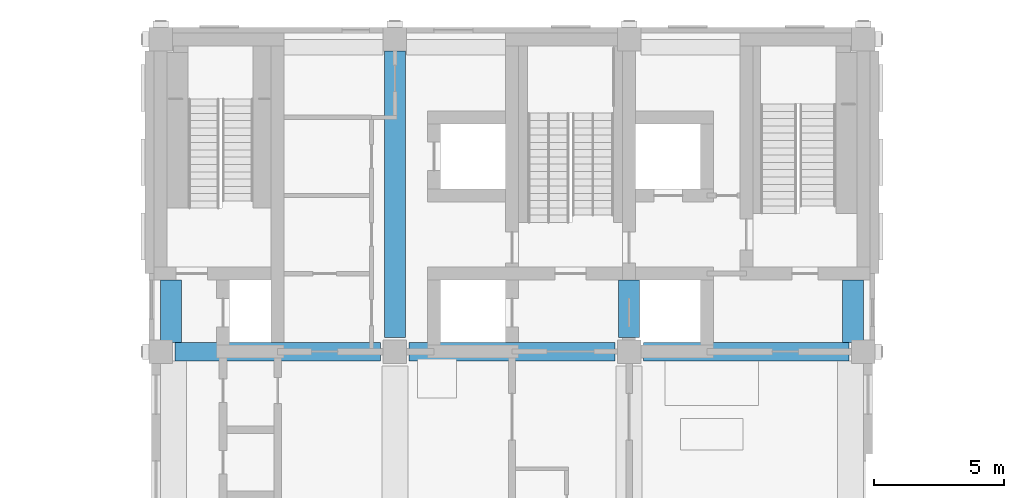
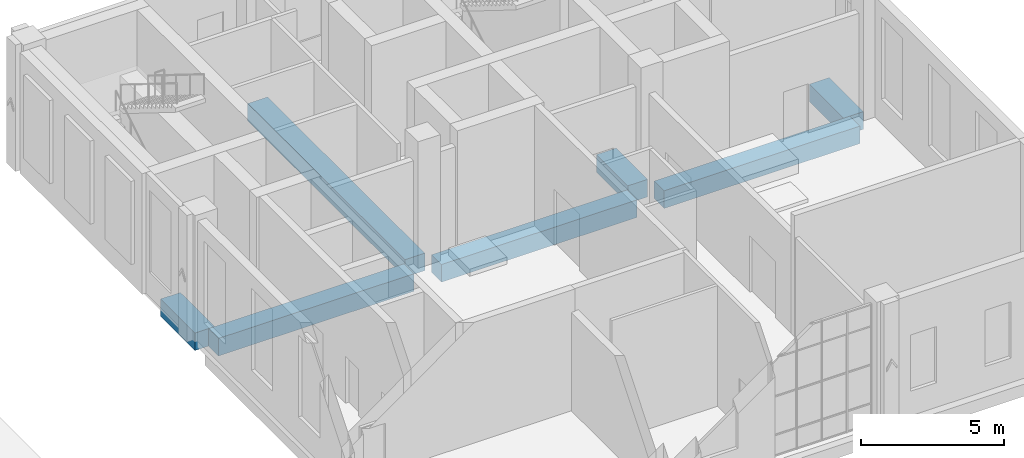
# One storey, part 5 of 33: 7 beams.
"""IFC4 building model written with IfcOpenShell, lengths in metres."""

from ifc_helpers import new_model, si_unit, direction, frame, origin, origin_2d, place, context, subcontext, project, spatial, rectangle, extrude, material, material_profile, profile_set, type_object, element, save


model = new_model("IFC4")

# Units and contexts
model_context = context("Model", 3, precision=1e-05, world=origin(), true_north=direction((0.0, 1.0)))
body_context = subcontext(model_context, "Body", "Model", "MODEL_VIEW")
ifc_project = project(units=[si_unit("LENGTHUNIT", "METRE"), si_unit("AREAUNIT", "SQUARE_METRE"), si_unit("VOLUMEUNIT", "CUBIC_METRE"), si_unit("PLANEANGLEUNIT", "RADIAN"), si_unit("MASSUNIT", "GRAM", prefix="KILO")], contexts=[model_context])

# Site, building, storey
site_placement = place(None, origin())
site = spatial("IfcSite", under=ifc_project, at=site_placement, CompositionType="ELEMENT")
building_placement = place(site_placement, origin())
building = spatial("IfcBuilding", under=site, at=building_placement, Name="Aurelan Courthouse", CompositionType="ELEMENT")
storey_placement = place(building_placement, frame((0.0, 0.0, 22.800048828125)))
storey = spatial("IfcBuildingStorey", under=building, at=storey_placement, Name="L04", CompositionType="ELEMENT", Elevation=22.800048828125)

# Beams
ifc_material = material(Name="Concrete C50", Category="concrete")
ifc_material_profile_1 = material_profile(ifc_material, rectangle(XDim=0.699951171875, YDim=0.75, at=origin_2d()), Name="RC 700 x 750")
ifc_profile_set_1 = profile_set([ifc_material_profile_1], Name="Concrete C50")
beam_type_1 = type_object("IfcBeamType", Name="PT beam 700 x 750", PredefinedType="BEAM", material=ifc_profile_set_1)
for number, where, z_axis, x_axis, name in (
    (1, (36.550048828125, 54.0, -0.625), (1.0, 0.0, 0.0), (0.0, 1.0, 0.0), "Beam EB-E-5-6"),
    (2, (45.550048828125, 54.0, -0.625), (1.0, 0.0, 0.0), (0.0, 1.0, 0.0), "Beam EB-E-6-7"),
    (3, (54.550048828125, 54.0, -0.625), (1.0, 0.0, 0.0), (0.0, 1.0, 0.0), "Beam EB-E-7-8"),
):
    element("IfcBeam", number, at=place(storey_placement, frame(where, z_axis=z_axis, x_axis=x_axis)), inside=storey, type_object=beam_type_1, Name=name, PredefinedType="BEAM", context=body_context, shape_type="SweptSolid", body=[
        extrude(rectangle(XDim=0.699951171875, YDim=0.75, at=origin_2d()), origin(), (0.0, 0.0, 1.0), 7.89990234375),
    ])
ifc_material_profile_2 = material_profile(ifc_material, rectangle(XDim=0.800048828125, YDim=0.75, at=origin_2d()), Name="RC 800 x 750")
ifc_profile_set_2 = profile_set([ifc_material_profile_2], Name="Concrete C50")
beam_type_2 = type_object("IfcBeamType", Name="PT girder 800 x 750", PredefinedType="BEAM", material=ifc_profile_set_2)
beam_1_placement = place(storey_placement, frame((36.39990234375, 54.35009765625, -0.625), z_axis=(0.0, 1.0, 0.0), x_axis=(-1.0, 0.0, 0.0)))
element("IfcBeam", 4, at=beam_1_placement, inside=storey, type_object=beam_type_2, Name="Girder GB-5EF-E", PredefinedType="BEAM", context=body_context, shape_type="SweptSolid", body=[
    extrude(rectangle(XDim=0.800048828125, YDim=0.75, at=origin_2d()), origin(), (0.0, 0.0, 1.0), 2.39990234375),
])
beam_2_placement = place(storey_placement, frame((45.0, 54.550048828125, -0.625), z_axis=(0.0, 1.0, 0.0), x_axis=(-1.0, 0.0, 0.0)))
element("IfcBeam", 5, at=beam_2_placement, inside=storey, type_object=beam_type_2, Name="Girder GB-6EF", PredefinedType="BEAM", context=body_context, shape_type="SweptSolid", body=[
    extrude(rectangle(XDim=0.800048828125, YDim=0.75, at=origin_2d()), origin(), (0.0, 0.0, 1.0), 11.0),
])
beam_3_placement = place(storey_placement, frame((54.0, 54.550048828125, -0.625), z_axis=(0.0, 1.0, 0.0), x_axis=(-1.0, 0.0, 0.0)))
element("IfcBeam", 6, at=beam_3_placement, inside=storey, type_object=beam_type_2, Name="Girder GB-7EF", PredefinedType="BEAM", context=body_context, shape_type="SweptSolid", body=[
    extrude(rectangle(XDim=0.800048828125, YDim=0.75, at=origin_2d()), origin(), (0.0, 0.0, 1.0), 2.199951171875),
])
beam_4_placement = place(storey_placement, frame((62.60009765625, 54.35009765625, -0.625), z_axis=(0.0, 1.0, 0.0), x_axis=(-1.0, 0.0, 0.0)))
element("IfcBeam", 7, at=beam_4_placement, inside=storey, type_object=beam_type_2, Name="Girder GB-8EF-E", PredefinedType="BEAM", context=body_context, shape_type="SweptSolid", body=[
    extrude(rectangle(XDim=0.800048828125, YDim=0.75, at=origin_2d()), origin(), (0.0, 0.0, 1.0), 2.39990234375),
])

save(model, "model.ifc")
